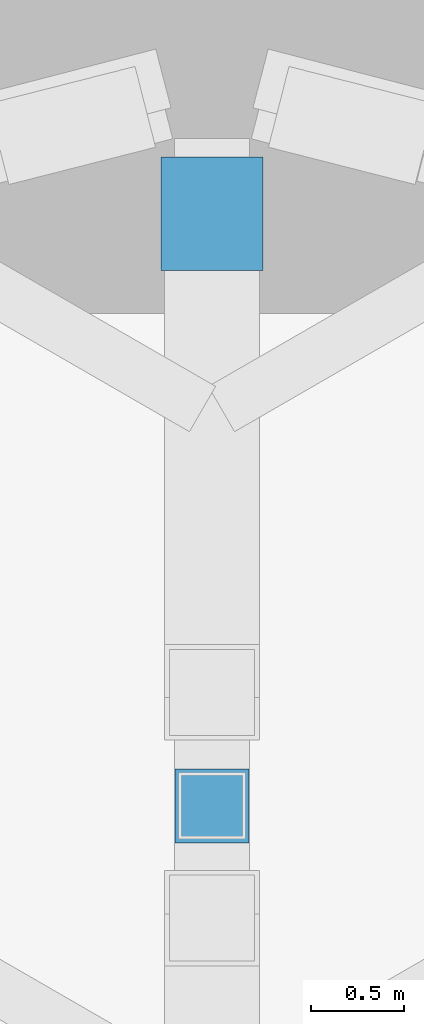
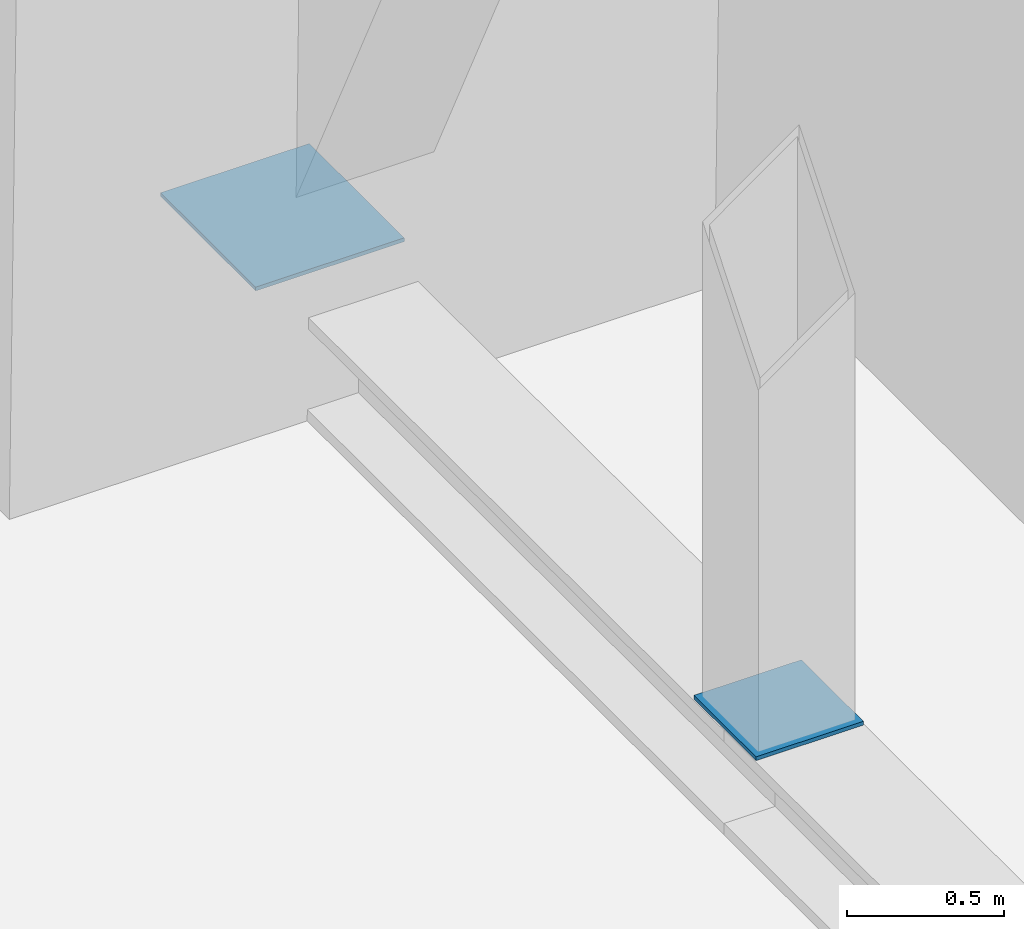
# One storey, part 10 of 18: 2 discrete accessories.
"""IFC4 building model written with IfcOpenShell, lengths in metres."""

from ifc_helpers import new_model, si_unit, direction, frame, origin, origin_2d, place, context, subcontext, project, spatial, rectangle, extrude, material, type_object, element, save


model = new_model("IFC4")

# Units and contexts
model_context = context("Model", 3, precision=1e-05, world=origin(), true_north=direction((0.0, 1.0)))
body_context = subcontext(model_context, "Body", "Model", "MODEL_VIEW")
ifc_project = project(units=[si_unit("LENGTHUNIT", "METRE"), si_unit("AREAUNIT", "SQUARE_METRE"), si_unit("VOLUMEUNIT", "CUBIC_METRE"), si_unit("PLANEANGLEUNIT", "RADIAN"), si_unit("MASSUNIT", "GRAM", prefix="KILO")], contexts=[model_context])

# Site, building, storey
site_placement = place(None, origin())
site = spatial("IfcSite", under=ifc_project, at=site_placement, CompositionType="ELEMENT")
building_placement = place(site_placement, origin())
building = spatial("IfcBuilding", under=site, at=building_placement, Name="Sierra Prisma Convention Tower", CompositionType="ELEMENT")
storey_placement = place(building_placement, frame((0.0, 0.0, 213.800048828125)))
storey = spatial("IfcBuildingStorey", under=building, at=storey_placement, Name="L48", CompositionType="ELEMENT", Elevation=213.800048828125)

# Discrete accessories
ifc_material = material(Name="Steel ASTM A992 Gr 50", Category="steel")
discrete_accessory_type = type_object("IfcDiscreteAccessoryType", Name="Truss end plate", PredefinedType="BRACKET", material=ifc_material)
discrete_accessory_1_placement = place(storey_placement, frame((0.0, 25.335693359375, 0.4072265625), z_axis=(0.0, 0.0, 1.0), x_axis=(0.0, -1.0, 0.0)))
element("IfcDiscreteAccessory", 1, at=discrete_accessory_1_placement, inside=storey, type_object=discrete_accessory_type, Name="Outrigger truss L48 N diagonal 1 foot end plate", PredefinedType="BRACKET", context=body_context, shape_type="SweptSolid", body=[
    extrude(rectangle(XDim=0.60693359375, YDim=0.548095703125, at=origin_2d()), origin(), (0.0, 0.0, 1.0), 0.014892578125),
])
discrete_accessory_2_placement = place(storey_placement, frame((0.0, 22.167236328125, 0.4072265625), z_axis=(0.0, 0.0, 1.0), x_axis=(0.0, -1.0, 0.0)))
element("IfcDiscreteAccessory", 2, at=discrete_accessory_2_placement, inside=storey, type_object=discrete_accessory_type, Name="Outrigger truss L48 N post 1 end plate", PredefinedType="BRACKET", context=body_context, shape_type="SweptSolid", body=[
    extrude(rectangle(XDim=0.39599609375, YDim=0.39599609375, at=origin_2d()), origin(), (0.0, 0.0, 1.0), 0.014892578125),
])

save(model, "model.ifc")
